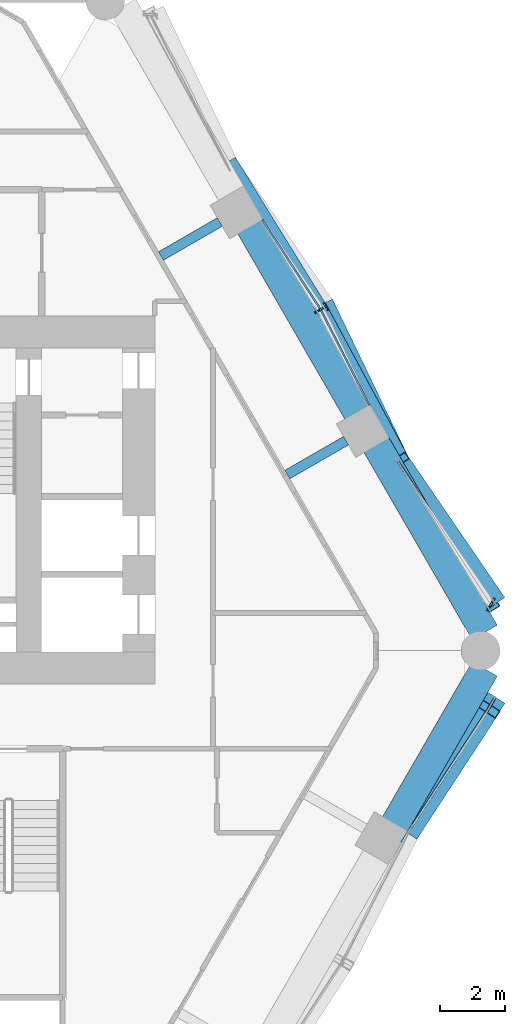
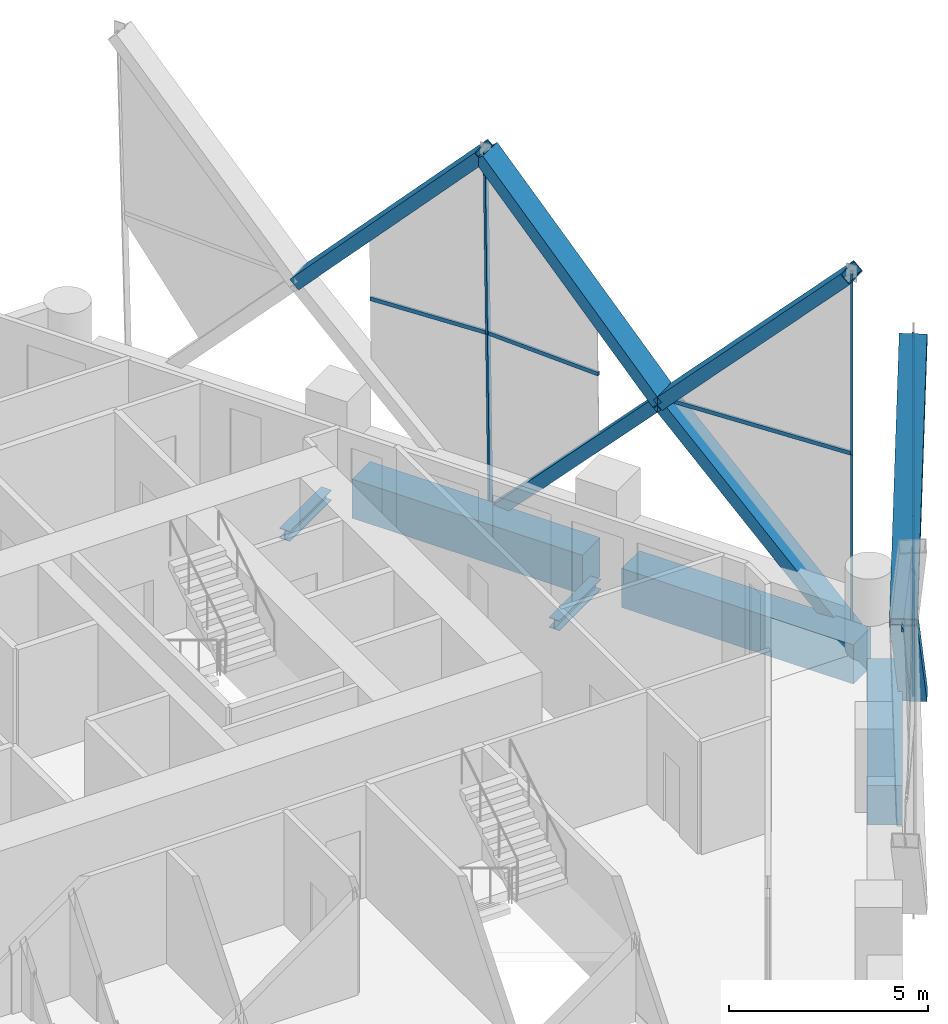
# One storey, part 8 of 21: 17 members, 5 beams, 4 elements without a shape of their own.
"""IFC4 building model written with IfcOpenShell, lengths in metres."""

from ifc_helpers import new_model, si_unit, direction, frame, origin, origin_2d, place, context, subcontext, project, spatial, rectangle, hollow_rectangle, i_section, extrude, material, material_profile, profile_set, type_object, element, aggregate, save


model = new_model("IFC4")

# Units and contexts
model_context = context("Model", 3, precision=1e-05, world=origin(), true_north=direction((0.0, 1.0)))
body_context = subcontext(model_context, "Body", "Model", "MODEL_VIEW")
ifc_project = project(units=[si_unit("LENGTHUNIT", "METRE"), si_unit("AREAUNIT", "SQUARE_METRE"), si_unit("VOLUMEUNIT", "CUBIC_METRE"), si_unit("PLANEANGLEUNIT", "RADIAN"), si_unit("MASSUNIT", "GRAM", prefix="KILO")], contexts=[model_context])

# Site, building, storey
site_placement = place(None, origin())
site = spatial("IfcSite", under=ifc_project, at=site_placement, CompositionType="ELEMENT")
building_placement = place(site_placement, origin())
building = spatial("IfcBuilding", under=site, at=building_placement, Name="Ostrander Bayou Hotel Tower", CompositionType="ELEMENT")
storey_placement = place(building_placement, frame((0.0, 0.0, 116.0)))
storey = spatial("IfcBuildingStorey", under=building, at=storey_placement, Name="L28", CompositionType="ELEMENT", Elevation=116.0)

# Curtain wall, members
ifc_material_1 = material(Name="Aluminium and clear glass", Category="aluminium")
curtain_wall_type = type_object("IfcCurtainWallType", Name="CW-LAT lattice glazing", PredefinedType="NOTDEFINED", material=ifc_material_1)
curtain_wall_1_placement = place(storey_placement, origin())
curtain_wall_1 = element("IfcCurtainWall", 1, at=curtain_wall_1_placement, inside=storey, type_object=curtain_wall_type, Name="CW-LAT L28 SE 1", PredefinedType="NOTDEFINED")
ifc_material_2 = material(Name="Aluminium", Category="aluminium")
ifc_material_profile_1 = material_profile(ifc_material_2, hollow_rectangle(XDim=0.06005859375, YDim=0.159912109375, WallThickness=0.00390625, at=origin_2d()))
ifc_profile_set_1 = profile_set([ifc_material_profile_1], Name="Aluminium")
member_type_1 = type_object("IfcMemberType", Name="CW-LA mullion 60 x 160 mm", PredefinedType="MULLION", material=ifc_profile_set_1)
member_1_placement = place(storey_placement, frame((22.47216796875, -2.217041015625, -0.60009765625), z_axis=(-0.012582810856, -0.021824668484, 0.999682627996), x_axis=(0.866328918095, -0.499473928922, 0.0)))
member_1 = element("IfcMember", 2, at=member_1_placement, type_object=member_type_1, Name="CW-LAT mullion 8", PredefinedType="MULLION", context=body_context, shape_type="SweptSolid", body=[
    extrude(hollow_rectangle(XDim=0.06005859375, YDim=0.159912109375, WallThickness=0.00390625, at=origin_2d()), origin(), (0.0, 0.0, 1.0), 5.626708984375),
])
member_2_placement = place(storey_placement, frame((22.4013671875, -2.33984375, 5.02490234375), z_axis=(-0.012582822759, -0.021781300087, 0.999683573706), x_axis=(0.865898279276, -0.500220121494, 0.0)))
member_2 = element("IfcMember", 3, at=member_2_placement, type_object=member_type_1, Name="CW-LAT mullion 9", PredefinedType="MULLION", context=body_context, shape_type="SweptSolid", body=[
    extrude(hollow_rectangle(XDim=0.06005859375, YDim=0.159912109375, WallThickness=0.00390625, at=origin_2d()), origin(), (0.0, 0.0, 1.0), 5.626708984375),
])
aggregate(curtain_wall_1, [member_1, member_2])

curtain_wall_2_placement = place(storey_placement, origin())
curtain_wall_2 = element("IfcCurtainWall", 4, at=curtain_wall_2_placement, inside=storey, type_object=curtain_wall_type, Name="CW-LAT L28 NE 1", PredefinedType="NOTDEFINED")
member_3_placement = place(storey_placement, frame((22.47216796875, 0.885986328125, -0.60009765625), z_axis=(-0.012582810856, -0.021824668484, 0.999682627996), x_axis=(0.866328918095, -0.499473928922, 0.0)))
member_3 = element("IfcMember", 5, at=member_3_placement, type_object=member_type_1, Name="CW-LAT mullion 1", PredefinedType="MULLION", context=body_context, shape_type="SweptSolid", body=[
    extrude(hollow_rectangle(XDim=0.06005859375, YDim=0.159912109375, WallThickness=0.00390625, at=origin_2d()), origin(), (0.0, 0.0, 1.0), 5.626708984375),
])
member_4_placement = place(storey_placement, frame((22.4013671875, 0.76318359375, 5.02490234375), z_axis=(-0.012582810856, -0.021824668484, 0.999682627996), x_axis=(0.866328918095, -0.499473928922, 0.0)))
member_4 = element("IfcMember", 6, at=member_4_placement, type_object=member_type_1, Name="CW-LAT mullion 2", PredefinedType="MULLION", context=body_context, shape_type="SweptSolid", body=[
    extrude(hollow_rectangle(XDim=0.06005859375, YDim=0.159912109375, WallThickness=0.00390625, at=origin_2d()), origin(), (0.0, 0.0, 1.0), 5.626708984375),
])
member_5_placement = place(storey_placement, frame((17.23779296875, 9.9521484375, -0.60009765625), z_axis=(-0.018875724526, -0.010891510014, 0.999762512817), x_axis=(0.499779910804, -0.866152435058, 0.0)))
member_5 = element("IfcMember", 7, at=member_5_placement, type_object=member_type_1, Name="CW-LAT mullion 4", PredefinedType="MULLION", context=body_context, shape_type="SweptSolid", body=[
    extrude(hollow_rectangle(XDim=0.06005859375, YDim=0.159912109375, WallThickness=0.00390625, at=origin_2d()), origin(), (0.0, 0.0, 1.0), 5.626220703125),
])
member_6_placement = place(storey_placement, frame((17.131591796875, 9.890869140625, 5.02490234375), z_axis=(-0.018919101482, -0.010891501083, 0.999761693007), x_axis=(0.498919206287, -0.866648501757, 0.0)))
member_6 = element("IfcMember", 8, at=member_6_placement, type_object=member_type_1, Name="CW-LAT mullion 5", PredefinedType="MULLION", context=body_context, shape_type="SweptSolid", body=[
    extrude(hollow_rectangle(XDim=0.06005859375, YDim=0.159912109375, WallThickness=0.00390625, at=origin_2d()), origin(), (0.0, 0.0, 1.0), 5.626220703125),
])
aggregate(curtain_wall_2, [member_3, member_4, member_5, member_6])

# Curtain wall, member
curtain_wall_3_placement = place(storey_placement, origin())
curtain_wall_3 = element("IfcCurtainWall", 9, at=curtain_wall_3_placement, inside=storey, type_object=curtain_wall_type, Name="CW-LAT L28 SE 2", PredefinedType="NOTDEFINED")
ifc_material_3 = material(Name="Aluminium", Category="aluminium")
ifc_material_profile_2 = material_profile(ifc_material_3, hollow_rectangle(XDim=0.06005859375, YDim=0.1201171875, WallThickness=0.00390625, at=origin_2d()))
ifc_profile_set_2 = profile_set([ifc_material_profile_2], Name="Aluminium")
member_type_2 = type_object("IfcMemberType", Name="CW-LA transom 60 x 120 mm", PredefinedType="USERDEFINED", material=ifc_profile_set_2)
member_7_placement = place(storey_placement, frame((22.4013671875, -2.33984375, 5.02490234375), z_axis=(-0.545314384373, -0.83823160415, 0.0), x_axis=(0.83823160415, -0.545314384373, 0.0)))
member_7 = element("IfcMember", 10, at=member_7_placement, type_object=member_type_2, Name="CW-LAT transom 10", ObjectType="TRANSOM", PredefinedType="USERDEFINED", context=body_context, shape_type="SweptSolid", body=[
    extrude(hollow_rectangle(XDim=0.06005859375, YDim=0.1201171875, WallThickness=0.00390625, at=origin_2d()), origin(), (0.0, 0.0, 1.0), 5.079345703125),
])
aggregate(curtain_wall_3, [member_7])

# Curtain wall, members
curtain_wall_4_placement = place(storey_placement, origin())
curtain_wall_4 = element("IfcCurtainWall", 11, at=curtain_wall_4_placement, inside=storey, type_object=curtain_wall_type, Name="CW-LAT L28 NE 2", PredefinedType="NOTDEFINED")
member_8_placement = place(storey_placement, frame((22.4013671875, 0.76318359375, 5.02490234375), z_axis=(-0.544344231628, 0.838861941856, 0.0), x_axis=(-0.838861941856, -0.544344231628, 0.0)))
member_8 = element("IfcMember", 12, at=member_8_placement, type_object=member_type_2, Name="CW-LAT transom 3", ObjectType="TRANSOM", PredefinedType="USERDEFINED", context=body_context, shape_type="SweptSolid", body=[
    extrude(hollow_rectangle(XDim=0.06005859375, YDim=0.1201171875, WallThickness=0.00390625, at=origin_2d()), origin(), (0.0, 0.0, 1.0), 5.277099609375),
])
member_9_placement = place(storey_placement, frame((17.131591796875, 9.890869140625, 5.02490234375), z_axis=(0.454278100017, -0.890859926052, 0.0), x_axis=(0.890859926052, 0.454278100017, 0.0)))
member_9 = element("IfcMember", 13, at=member_9_placement, type_object=member_type_2, Name="CW-LAT transom 6", ObjectType="TRANSOM", PredefinedType="USERDEFINED", context=body_context, shape_type="SweptSolid", body=[
    extrude(hollow_rectangle(XDim=0.06005859375, YDim=0.1201171875, WallThickness=0.00390625, at=origin_2d()), origin(), (0.0, 0.0, 1.0), 3.31103515625),
])
member_10_placement = place(storey_placement, frame((17.131591796875, 9.890869140625, 5.02490234375), z_axis=(-0.544363615183, 0.838849363393, 0.0), x_axis=(-0.838849363393, -0.544363615183, 0.0)))
member_10 = element("IfcMember", 14, at=member_10_placement, type_object=member_type_2, Name="CW-LAT transom 7", ObjectType="TRANSOM", PredefinedType="USERDEFINED", context=body_context, shape_type="SweptSolid", body=[
    extrude(hollow_rectangle(XDim=0.06005859375, YDim=0.1201171875, WallThickness=0.00390625, at=origin_2d()), origin(), (0.0, 0.0, 1.0), 3.311279296875),
])
aggregate(curtain_wall_4, [member_8, member_9, member_10])

# Beams
ifc_material_4 = material(Name="Steel ASTM A992", Category="steel")
ifc_material_profile_3 = material_profile(ifc_material_4, i_section(OverallWidth=0.3046875, OverallDepth=0.307861328125, WebThickness=0.010009765625, FlangeThickness=0.015380859375, at=origin_2d()))
ifc_profile_set_3 = profile_set([ifc_material_profile_3], Name="Steel ASTM A992")
beam_type_1 = type_object("IfcBeamType", Name="LB1 loggia bracket W12x65", PredefinedType="BEAM", material=ifc_profile_set_3)
for number, where, z_axis, x_axis, name in (
    (15, (17.918212890625, 5.833984375, -0.453857421875), (-0.866038466041, -0.499977374825, 0.0), (0.499977374825, -0.866038466041, 0.0), "LB1 L28 NE1"),
    (16, (14.011474609375, 12.6005859375, -0.453857421875), (-0.866038466041, -0.499977374825, 0.0), (0.499977374825, -0.866038466041, 0.0), "LB1 L28 NE2"),
):
    element("IfcBeam", number, at=place(storey_placement, frame(where, z_axis=z_axis, x_axis=x_axis)), inside=storey, type_object=beam_type_1, Name=name, PredefinedType="BEAM", context=body_context, shape_type="SweptSolid", body=[
        extrude(i_section(OverallWidth=0.3046875, OverallDepth=0.307861328125, WebThickness=0.010009765625, FlangeThickness=0.015380859375, at=origin_2d()), origin(), (0.0, 0.0, 1.0), 2.10009765625),
    ])

# Members
ifc_material_5 = material(Name="Steel ASTM A572 Gr 50", Category="steel")
ifc_material_profile_4 = material_profile(ifc_material_5, hollow_rectangle(XDim=0.699951171875, YDim=0.35009765625, WallThickness=0.02490234375, at=origin_2d()))
ifc_profile_set_4 = profile_set([ifc_material_profile_4], Name="Steel ASTM A572 Gr 50")
member_type_3 = type_object("IfcMemberType", Name="LT1 lattice member box 700 x 350 x 25 mm", PredefinedType="BRACE", material=ifc_profile_set_4)
member_11_placement = place(storey_placement, frame((19.896240234375, -6.190185546875, 5.02490234375), z_axis=(0.350338606258, 0.540366835205, -0.765027152705), x_axis=(-0.83908151051, 0.544005715705, 0.0)))
element("IfcMember", 17, at=member_11_placement, inside=storey, type_object=member_type_3, Name="LT1 L28 SE 7", PredefinedType="BRACE", context=body_context, shape_type="SweptSolid", body=[
    extrude(hollow_rectangle(XDim=0.699951171875, YDim=0.35009765625, WallThickness=0.02490234375, at=origin_2d()), origin(), (0.0, 0.0, 1.0), 7.352783203125),
])
member_12_placement = place(storey_placement, frame((19.896240234375, -6.190185546875, 5.02490234375), z_axis=(0.339337211246, 0.519640946596, 0.784106844559), x_axis=(-0.837285361909, 0.546766149951, 0.0)))
element("IfcMember", 18, at=member_12_placement, inside=storey, type_object=member_type_3, Name="LT1 L28 SE 8", PredefinedType="BRACE", context=body_context, shape_type="SweptSolid", body=[
    extrude(hollow_rectangle(XDim=0.699951171875, YDim=0.35009765625, WallThickness=0.02490234375, at=origin_2d()), origin(), (0.0, 0.0, 1.0), 7.173828125),
])
member_13_placement = place(storey_placement, frame((19.52880859375, 5.18994140625, 5.02490234375), z_axis=(0.383752466944, -0.561145673504, -0.733382285866), x_axis=(0.825437017786, 0.564494224654, 0.0)))
element("IfcMember", 19, at=member_13_placement, inside=storey, type_object=member_type_3, Name="LT1 L28 NE 1", PredefinedType="BRACE", context=body_context, shape_type="SweptSolid", body=[
    extrude(hollow_rectangle(XDim=0.699951171875, YDim=0.35009765625, WallThickness=0.02490234375, at=origin_2d()), origin(), (0.0, 0.0, 1.0), 7.669921875),
])
member_14_placement = place(storey_placement, frame((19.52880859375, 5.18994140625, 5.02490234375), z_axis=(0.361137115625, -0.586422982718, 0.725043494597), x_axis=(0.851488835538, 0.524372732848, 0.0)))
element("IfcMember", 20, at=member_14_placement, inside=storey, type_object=member_type_3, Name="LT1 L28 NE 2", PredefinedType="BRACE", context=body_context, shape_type="SweptSolid", body=[
    extrude(hollow_rectangle(XDim=0.699951171875, YDim=0.35009765625, WallThickness=0.02490234375, at=origin_2d()), origin(), (0.0, 0.0, 1.0), 7.758056640625),
])
member_15_placement = place(storey_placement, frame((19.52880859375, 5.18994140625, 5.02490234375), z_axis=(-0.29683941413, 0.617023615943, -0.728812883796), x_axis=(-0.901142069182, -0.433523899169, 0.0)))
element("IfcMember", 21, at=member_15_placement, inside=storey, type_object=member_type_3, Name="LT1 L28 NE 3", PredefinedType="BRACE", context=body_context, shape_type="SweptSolid", body=[
    extrude(hollow_rectangle(XDim=0.699951171875, YDim=0.35009765625, WallThickness=0.02490234375, at=origin_2d()), origin(), (0.0, 0.0, 1.0), 7.718017578125),
])
member_16_placement = place(storey_placement, frame((19.52880859375, 5.18994140625, 5.02490234375), z_axis=(-0.324753272563, 0.60181484074, 0.729626075071), x_axis=(-0.880043984106, -0.474892183593, 0.0)))
element("IfcMember", 22, at=member_16_placement, inside=storey, type_object=member_type_3, Name="LT1 L28 NE 4", PredefinedType="BRACE", context=body_context, shape_type="SweptSolid", body=[
    extrude(hollow_rectangle(XDim=0.699951171875, YDim=0.35009765625, WallThickness=0.02490234375, at=origin_2d()), origin(), (0.0, 0.0, 1.0), 7.70947265625),
])
member_17_placement = place(storey_placement, frame((14.259033203125, 14.3173828125, 5.02490234375), z_axis=(0.358805190685, -0.582132128435, 0.729644447783), x_axis=(0.851286025218, 0.524701918492, 0.0)))
element("IfcMember", 23, at=member_17_placement, inside=storey, type_object=member_type_3, Name="LT1 L28 NE 6", PredefinedType="BRACE", context=body_context, shape_type="SweptSolid", body=[
    extrude(hollow_rectangle(XDim=0.699951171875, YDim=0.35009765625, WallThickness=0.02490234375, at=origin_2d()), origin(), (0.0, 0.0, 1.0), 7.709228515625),
])

# Beams
ifc_material_6 = material(Name="Concrete f'c 70 MPa", Category="concrete")
ifc_material_profile_5 = material_profile(ifc_material_6, rectangle(XDim=0.89990234375, YDim=1.199951171875, at=origin_2d()))
ifc_profile_set_5 = profile_set([ifc_material_profile_5], Name="Concrete f'c 70 MPa")
beam_type_2 = type_object("IfcBeamType", Name="SP2 spandrel beam 900 x 1200 mm f'c 70 MPa", PredefinedType="SPANDREL", material=ifc_profile_set_5)
beam_1_placement = place(storey_placement, frame((19.428955078125, -6.048095703125, -0.60009765625), z_axis=(0.49998957009, 0.866031425412, 0.0), x_axis=(-0.866031425412, 0.49998957009, 0.0)))
element("IfcBeam", 24, at=beam_1_placement, inside=storey, type_object=beam_type_2, Name="SP2 L28 SE-3", PredefinedType="SPANDREL", context=body_context, shape_type="SweptSolid", body=[
    extrude(rectangle(XDim=0.89990234375, YDim=1.199951171875, at=origin_2d()), origin(), (0.0, 0.0, 1.0), 5.564453125),
])
beam_2_placement = place(storey_placement, frame((22.211181640625, -0.101806640625, -0.60009765625), z_axis=(-0.500012951941, 0.866017925849, 0.0), x_axis=(-0.866017925849, -0.500012951941, 0.0)))
element("IfcBeam", 25, at=beam_2_placement, inside=storey, type_object=beam_type_2, Name="SP2 L28 NE-1", PredefinedType="SPANDREL", context=body_context, shape_type="SweptSolid", body=[
    extrude(rectangle(XDim=0.89990234375, YDim=1.199951171875, at=origin_2d()), origin(), (0.0, 0.0, 1.0), 6.717041015625),
])
beam_3_placement = place(storey_placement, frame((18.28271484375, 6.702392578125, -0.60009765625), z_axis=(-0.50001062018, 0.866019272134, 0.0), x_axis=(-0.866019272134, -0.50001062018, 0.0)))
element("IfcBeam", 26, at=beam_3_placement, inside=storey, type_object=beam_type_2, Name="SP2 L28 NE-2", PredefinedType="SPANDREL", context=body_context, shape_type="SweptSolid", body=[
    extrude(rectangle(XDim=0.89990234375, YDim=1.199951171875, at=origin_2d()), origin(), (0.0, 0.0, 1.0), 6.673583984375),
])

save(model, "model.ifc")
